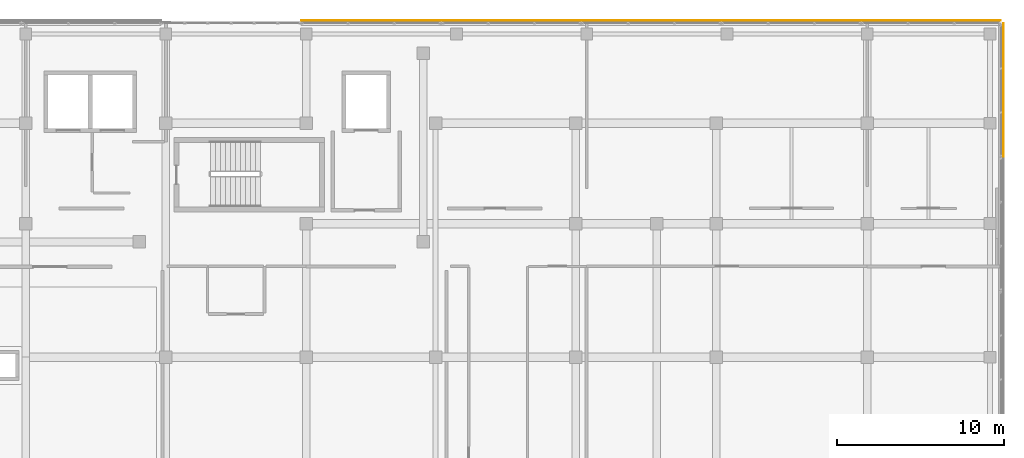
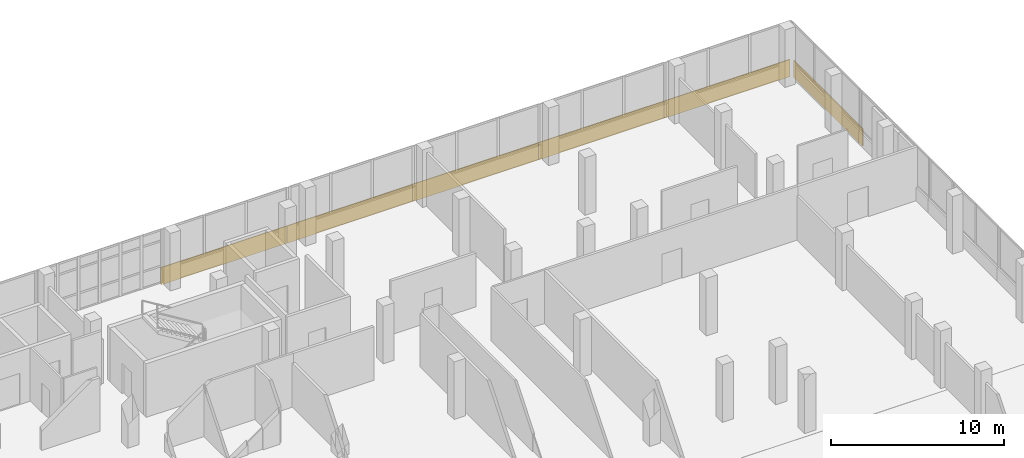
# One storey, part 101 of 101: 6 coverings.
"""IFC4 building model written with IfcOpenShell, lengths in metres."""

from ifc_helpers import new_model, si_unit, direction, frame, origin, origin_2d, place, context, subcontext, project, spatial, rectangle, extrude, material, layer, layer_set, type_object, element, save


model = new_model("IFC4")

# Units and contexts
model_context = context("Model", 3, precision=1e-05, world=origin(), true_north=direction((0.0, 1.0)))
body_context = subcontext(model_context, "Body", "Model", "MODEL_VIEW")
ifc_project = project(units=[si_unit("LENGTHUNIT", "METRE"), si_unit("AREAUNIT", "SQUARE_METRE"), si_unit("VOLUMEUNIT", "CUBIC_METRE"), si_unit("PLANEANGLEUNIT", "RADIAN"), si_unit("MASSUNIT", "GRAM", prefix="KILO")], contexts=[model_context])

# Site, building, storey
site_placement = place(None, origin())
site = spatial("IfcSite", under=ifc_project, at=site_placement, CompositionType="ELEMENT")
building_placement = place(site_placement, origin())
building = spatial("IfcBuilding", under=site, at=building_placement, Name="Selatvlak General Hospital", CompositionType="ELEMENT")
storey_placement = place(building_placement, frame((0.0, 0.0, 19.199951171875)))
storey = spatial("IfcBuildingStorey", under=building, at=storey_placement, Name="L04", CompositionType="ELEMENT", Elevation=19.199951171875)

# Coverings
ifc_material = material(Name="White Bauhaus fair-faced cladding panel")
ifc_layer = layer(ifc_material, 0.054931640625, Name="White Bauhaus fair-faced cladding panel")
ifc_layer_set = layer_set([ifc_layer], Name="White Bauhaus fair-faced cladding panel")
covering_type = type_object("IfcCoveringType", Name="COV-WHT1", PredefinedType="CLADDING", material=ifc_layer_set)
for number, where, z_axis, x_axis, name in (
    (1, (144.2890625, 120.1650390625, -0.27978515625), (0.0, 0.0, 1.0), (1.0, 0.0, 0.0), "L04 Bauhaus horizontal white spandrel band 0314"),
    (2, (152.6689453125, 120.1650390625, -0.27978515625), (0.0, 0.0, 1.0), (1.0, 0.0, 0.0), "L04 Bauhaus horizontal white spandrel band 0315"),
    (3, (161.049072265625, 120.1650390625, -0.27978515625), (0.0, 0.0, 1.0), (1.0, 0.0, 0.0), "L04 Bauhaus horizontal white spandrel band 0316"),
    (4, (169.428955078125, 120.1650390625, -0.27978515625), (0.0, 0.0, 1.0), (1.0, 0.0, 0.0), "L04 Bauhaus horizontal white spandrel band 0317"),
    (5, (177.80908203125, 120.1650390625, -0.27978515625), (0.0, 0.0, 1.0), (1.0, 0.0, 0.0), "L04 Bauhaus horizontal white spandrel band 0318"),
):
    element("IfcCovering", number, at=place(storey_placement, frame(where, z_axis=z_axis, x_axis=x_axis)), inside=storey, type_object=covering_type, Name=name, PredefinedType="CLADDING", context=body_context, shape_type="SweptSolid", body=[
        extrude(rectangle(XDim=8.3798828125, YDim=0.054931640625, at=origin_2d()), origin(), (0.0, 0.0, 1.0), 1.219970703125),
    ])
covering_placement = place(storey_placement, frame((182.1640625, 116.0, -0.27978515625), z_axis=(0.0, 0.0, 1.0), x_axis=(0.0, -1.0, 0.0)))
element("IfcCovering", 6, at=covering_placement, inside=storey, type_object=covering_type, Name="L04 Bauhaus horizontal white spandrel band 0319", PredefinedType="CLADDING", context=body_context, shape_type="SweptSolid", body=[
    extrude(rectangle(XDim=8.0, YDim=0.054931640625, at=origin_2d()), origin(), (0.0, 0.0, 1.0), 1.219970703125),
])

save(model, "model.ifc")
